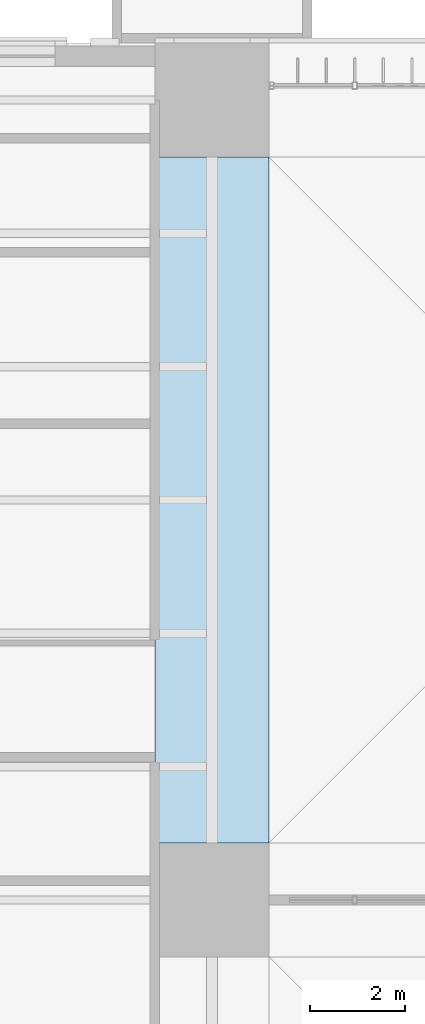
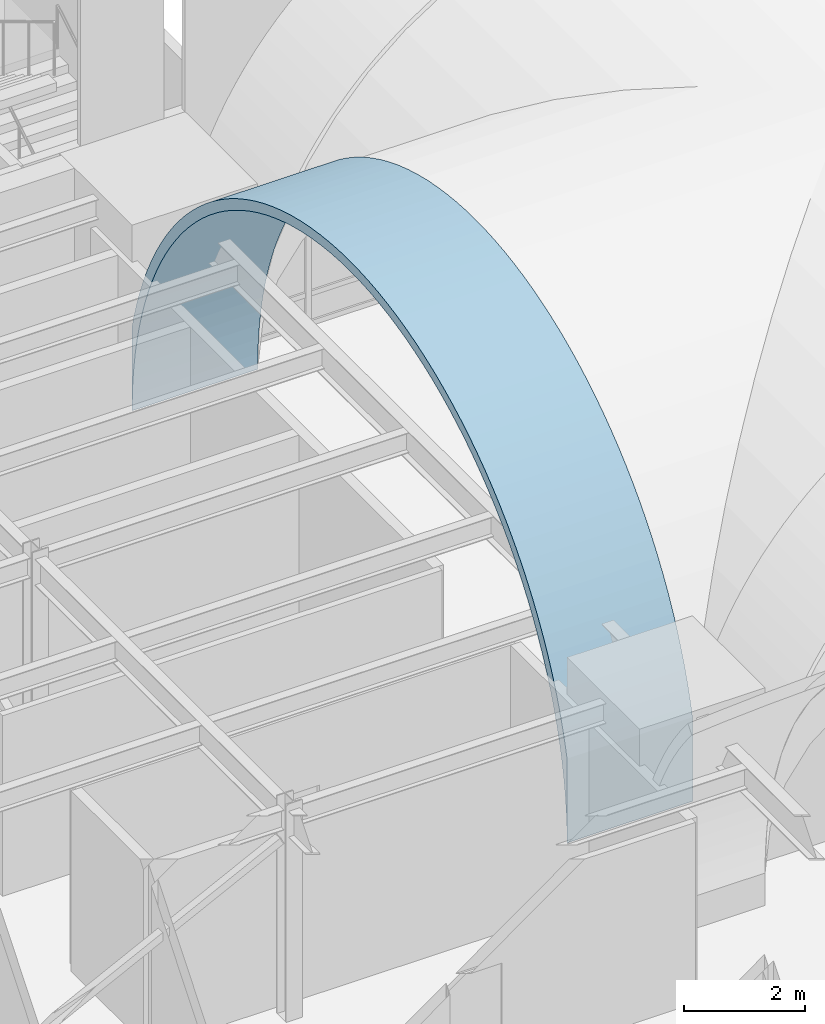
# One storey, part 117 of 169: 1 roof.
"""IFC4 building model written with IfcOpenShell, lengths in metres."""

from ifc_helpers import new_model, si_unit, direction, frame, origin, place, context, subcontext, project, spatial, polygons, material, layer, layer_set, type_object, element, save


model = new_model("IFC4")

# Units and contexts
model_context = context("Model", 3, precision=1e-05, world=origin(), true_north=direction((0.0, 1.0)))
body_context = subcontext(model_context, "Body", "Model", "MODEL_VIEW")
ifc_project = project(units=[si_unit("LENGTHUNIT", "METRE"), si_unit("AREAUNIT", "SQUARE_METRE"), si_unit("VOLUMEUNIT", "CUBIC_METRE"), si_unit("PLANEANGLEUNIT", "RADIAN"), si_unit("MASSUNIT", "GRAM", prefix="KILO")], contexts=[model_context])

# Site, building, storey
site_placement = place(None, origin())
site = spatial("IfcSite", under=ifc_project, at=site_placement, CompositionType="ELEMENT")
building_placement = place(site_placement, origin())
building = spatial("IfcBuilding", under=site, at=building_placement, Name="Verrick Yard Athletic Hall", CompositionType="ELEMENT")
storey_placement = place(building_placement, frame((0.0, 0.0, 4.39990234375)))
storey = spatial("IfcBuildingStorey", under=building, at=storey_placement, Name="L01", CompositionType="ELEMENT", Elevation=4.39990234375)

# Roof
ifc_material = material(Name="Concrete 35 MPa", Category="concrete")
ifc_layer = layer(ifc_material, 0.199951171875)
ifc_layer_set = layer_set([ifc_layer], Name="Arch rib 200")
roof_type = type_object("IfcRoofType", Name="Arch rib 200", PredefinedType="BARREL_ROOF", material=ifc_layer_set)
roof_placement = place(storey_placement, origin())
element("IfcRoof", 1, at=roof_placement, inside=storey, type_object=roof_type, Name="Vault rib X1-2", PredefinedType="BARREL_ROOF", context=body_context, shape_type="Tessellation", body=[
    polygons([(41.199951171875, 37.199951171875, 2.352294921875), (41.199951171875, 37.199951171875, 0.650146484375), (41.199951171875, 37.206787109375, 0.964111328125), (41.199951171875, 37.227294921875, 1.277587890625), (41.199951171875, 37.26171875, 1.58984375), (41.199951171875, 37.309326171875, 1.900390625), (41.199951171875, 37.37060546875, 2.20849609375), (41.199951171875, 37.4453125, 2.513671875), (41.199951171875, 37.533203125, 2.815185546875), (41.199951171875, 37.63427734375, 3.112548828125), (41.199951171875, 37.748046875, 3.405517578125), (41.199951171875, 37.87451171875, 3.693115234375), (41.199951171875, 38.013427734375, 3.974609375), (41.199951171875, 38.16455078125, 4.25), (41.199951171875, 38.32763671875, 4.518798828125), (41.199951171875, 38.502197265625, 4.77978515625), (41.199951171875, 38.68798828125, 5.033203125), (41.199951171875, 38.884521484375, 5.278076171875), (41.199951171875, 39.091552734375, 5.514404296875), (41.199951171875, 39.308837890625, 5.7412109375), (41.199951171875, 39.535888671875, 5.95849609375), (41.199951171875, 39.77197265625, 6.16552734375), (41.199951171875, 40.016845703125, 6.3623046875), (41.199951171875, 40.270263671875, 6.548095703125), (41.199951171875, 40.531494140625, 6.722412109375), (41.199951171875, 40.800048828125, 6.885498046875), (41.199951171875, 41.075439453125, 7.03662109375), (41.199951171875, 41.357177734375, 7.175537109375), (41.199951171875, 41.644775390625, 7.302001953125), (41.199951171875, 41.9375, 7.416015625), (41.199951171875, 42.23486328125, 7.516845703125), (41.199951171875, 42.53662109375, 7.604736328125), (41.199951171875, 42.841552734375, 7.679443359375), (41.199951171875, 43.149658203125, 7.74072265625), (41.199951171875, 43.460205078125, 7.78857421875), (41.199951171875, 43.7724609375, 7.82275390625), (41.199951171875, 44.0859375, 7.84326171875), (41.199951171875, 44.39990234375, 7.85009765625), (41.199951171875, 44.714111328125, 7.84326171875), (41.199951171875, 45.027587890625, 7.82275390625), (41.199951171875, 45.33984375, 7.78857421875), (41.199951171875, 45.650390625, 7.74072265625), (41.199951171875, 45.95849609375, 7.679443359375), (41.199951171875, 46.263427734375, 7.604736328125), (41.199951171875, 46.565185546875, 7.516845703125), (41.199951171875, 46.862548828125, 7.416015625), (41.199951171875, 47.1552734375, 7.302001953125), (41.199951171875, 47.44287109375, 7.175537109375), (41.199951171875, 47.724609375, 7.03662109375), (41.199951171875, 48.0, 6.885498046875), (41.199951171875, 48.2685546875, 6.722412109375), (41.199951171875, 48.52978515625, 6.548095703125), (41.199951171875, 48.783203125, 6.3623046875), (41.199951171875, 49.028076171875, 6.16552734375), (41.199951171875, 49.26416015625, 5.95849609375), (41.199951171875, 49.4912109375, 5.7412109375), (41.199951171875, 49.70849609375, 5.514404296875), (41.199951171875, 49.91552734375, 5.278076171875), (41.199951171875, 50.112060546875, 5.033203125), (41.199951171875, 50.2978515625, 4.77978515625), (41.199951171875, 50.472412109375, 4.518798828125), (41.199951171875, 50.635498046875, 4.25), (41.199951171875, 50.78662109375, 3.974609375), (41.199951171875, 50.92529296875, 3.693115234375), (41.199951171875, 51.052001953125, 3.405517578125), (41.199951171875, 51.165771484375, 3.112548828125), (41.199951171875, 51.266845703125, 2.815185546875), (41.199951171875, 51.354736328125, 2.513671875), (41.199951171875, 51.42919921875, 2.20849609375), (41.199951171875, 51.490478515625, 1.900390625), (41.199951171875, 51.538330078125, 1.58984375), (41.199951171875, 51.572509765625, 1.277587890625), (41.199951171875, 51.593017578125, 0.964111328125), (41.199951171875, 51.60009765625, 0.650146484375), (41.199951171875, 51.60009765625, 2.352294921875), (41.199951171875, 51.5478515625, 2.5654296875), (41.199951171875, 51.45751953125, 2.875244140625), (41.199951171875, 51.353759765625, 3.180908203125), (41.199951171875, 51.23681640625, 3.48193359375), (41.199951171875, 51.106689453125, 3.777587890625), (41.199951171875, 50.9638671875, 4.06689453125), (41.199951171875, 50.80859375, 4.35009765625), (41.199951171875, 50.64111328125, 4.6259765625), (41.199951171875, 50.461669921875, 4.89453125), (41.199951171875, 50.270751953125, 5.15478515625), (41.199951171875, 50.068603515625, 5.40673828125), (41.199951171875, 49.85595703125, 5.6494140625), (41.199951171875, 49.632568359375, 5.8828125), (41.199951171875, 49.3994140625, 6.10595703125), (41.199951171875, 49.156494140625, 6.31884765625), (41.199951171875, 48.90478515625, 6.52099609375), (41.199951171875, 48.64453125, 6.7119140625), (41.199951171875, 48.3759765625, 6.89111328125), (41.199951171875, 48.10009765625, 7.05859375), (41.199951171875, 47.81689453125, 7.214111328125), (41.199951171875, 47.52734375, 7.356689453125), (41.199951171875, 47.23193359375, 7.48681640625), (41.199951171875, 46.930908203125, 7.603759765625), (41.199951171875, 46.625244140625, 7.70751953125), (41.199951171875, 46.315185546875, 7.798095703125), (41.199951171875, 46.001708984375, 7.874755859375), (41.199951171875, 45.68505859375, 7.937744140625), (41.199951171875, 45.365966796875, 7.98681640625), (41.199951171875, 45.044921875, 8.02197265625), (41.199951171875, 44.722900390625, 8.043212890625), (41.199951171875, 44.39990234375, 8.050048828125), (41.199951171875, 44.0771484375, 8.043212890625), (41.199951171875, 43.7548828125, 8.02197265625), (41.199951171875, 43.43408203125, 7.98681640625), (41.199951171875, 43.114990234375, 7.937744140625), (41.199951171875, 42.79833984375, 7.874755859375), (41.199951171875, 42.484619140625, 7.798095703125), (41.199951171875, 42.1748046875, 7.70751953125), (41.199951171875, 41.869140625, 7.603759765625), (41.199951171875, 41.568115234375, 7.48681640625), (41.199951171875, 41.272705078125, 7.356689453125), (41.199951171875, 40.983154296875, 7.214111328125), (41.199951171875, 40.699951171875, 7.05859375), (41.199951171875, 40.424072265625, 6.89111328125), (41.199951171875, 40.155517578125, 6.7119140625), (41.199951171875, 39.895263671875, 6.52099609375), (41.199951171875, 39.643310546875, 6.31884765625), (41.199951171875, 39.400634765625, 6.10595703125), (41.199951171875, 39.16748046875, 5.8828125), (41.199951171875, 38.944091796875, 5.6494140625), (41.199951171875, 38.731201171875, 5.40673828125), (41.199951171875, 38.529296875, 5.15478515625), (41.199951171875, 38.33837890625, 4.89453125), (41.199951171875, 38.158935546875, 4.6259765625), (41.199951171875, 37.991455078125, 4.35009765625), (41.199951171875, 37.836181640625, 4.06689453125), (41.199951171875, 37.693359375, 3.777587890625), (41.199951171875, 37.563232421875, 3.48193359375), (41.199951171875, 37.4462890625, 3.180908203125), (41.199951171875, 37.342529296875, 2.875244140625), (41.199951171875, 37.252197265625, 2.5654296875), (38.800048828125, 37.199951171875, 2.352294921875), (38.800048828125, 37.199951171875, 0.650146484375), (38.800048828125, 37.206787109375, 0.964111328125), (38.800048828125, 37.227294921875, 1.277587890625), (38.800048828125, 37.26171875, 1.58984375), (38.800048828125, 37.309326171875, 1.900390625), (38.800048828125, 37.37060546875, 2.20849609375), (38.800048828125, 37.4453125, 2.513671875), (38.800048828125, 37.533203125, 2.815185546875), (38.800048828125, 37.63427734375, 3.112548828125), (38.800048828125, 37.748046875, 3.405517578125), (38.800048828125, 37.87451171875, 3.693115234375), (38.800048828125, 38.013427734375, 3.974609375), (38.800048828125, 38.16455078125, 4.25), (38.800048828125, 38.32763671875, 4.518798828125), (38.800048828125, 38.502197265625, 4.77978515625), (38.800048828125, 38.68798828125, 5.033203125), (38.800048828125, 38.884521484375, 5.278076171875), (38.800048828125, 39.091552734375, 5.514404296875), (38.800048828125, 39.308837890625, 5.7412109375), (38.800048828125, 39.535888671875, 5.95849609375), (38.800048828125, 39.77197265625, 6.16552734375), (38.800048828125, 40.016845703125, 6.3623046875), (38.800048828125, 40.270263671875, 6.548095703125), (38.800048828125, 40.531494140625, 6.722412109375), (38.800048828125, 40.800048828125, 6.885498046875), (38.800048828125, 41.075439453125, 7.03662109375), (38.800048828125, 41.357177734375, 7.175537109375), (38.800048828125, 41.644775390625, 7.302001953125), (38.800048828125, 41.9375, 7.416015625), (38.800048828125, 42.23486328125, 7.516845703125), (38.800048828125, 42.53662109375, 7.604736328125), (38.800048828125, 42.841552734375, 7.679443359375), (38.800048828125, 43.149658203125, 7.74072265625), (38.800048828125, 43.460205078125, 7.78857421875), (38.800048828125, 43.7724609375, 7.82275390625), (38.800048828125, 44.0859375, 7.84326171875), (38.800048828125, 44.39990234375, 7.85009765625), (38.800048828125, 44.714111328125, 7.84326171875), (38.800048828125, 45.027587890625, 7.82275390625), (38.800048828125, 45.33984375, 7.78857421875), (38.800048828125, 45.650390625, 7.74072265625), (38.800048828125, 45.95849609375, 7.679443359375), (38.800048828125, 46.263427734375, 7.604736328125), (38.800048828125, 46.565185546875, 7.516845703125), (38.800048828125, 46.862548828125, 7.416015625), (38.800048828125, 47.1552734375, 7.302001953125), (38.800048828125, 47.44287109375, 7.175537109375), (38.800048828125, 47.724609375, 7.03662109375), (38.800048828125, 48.0, 6.885498046875), (38.800048828125, 48.2685546875, 6.722412109375), (38.800048828125, 48.52978515625, 6.548095703125), (38.800048828125, 48.783203125, 6.3623046875), (38.800048828125, 49.028076171875, 6.16552734375), (38.800048828125, 49.26416015625, 5.95849609375), (38.800048828125, 49.4912109375, 5.7412109375), (38.800048828125, 49.70849609375, 5.514404296875), (38.800048828125, 49.91552734375, 5.278076171875), (38.800048828125, 50.112060546875, 5.033203125), (38.800048828125, 50.2978515625, 4.77978515625), (38.800048828125, 50.472412109375, 4.518798828125), (38.800048828125, 50.635498046875, 4.25), (38.800048828125, 50.78662109375, 3.974609375), (38.800048828125, 50.92529296875, 3.693115234375), (38.800048828125, 51.052001953125, 3.405517578125), (38.800048828125, 51.165771484375, 3.112548828125), (38.800048828125, 51.266845703125, 2.815185546875), (38.800048828125, 51.354736328125, 2.513671875), (38.800048828125, 51.42919921875, 2.20849609375), (38.800048828125, 51.490478515625, 1.900390625), (38.800048828125, 51.538330078125, 1.58984375), (38.800048828125, 51.572509765625, 1.277587890625), (38.800048828125, 51.593017578125, 0.964111328125), (38.800048828125, 51.60009765625, 0.650146484375), (38.800048828125, 51.60009765625, 2.352294921875), (38.800048828125, 51.5478515625, 2.5654296875), (38.800048828125, 51.45751953125, 2.875244140625), (38.800048828125, 51.353759765625, 3.180908203125), (38.800048828125, 51.23681640625, 3.48193359375), (38.800048828125, 51.106689453125, 3.777587890625), (38.800048828125, 50.9638671875, 4.06689453125), (38.800048828125, 50.80859375, 4.35009765625), (38.800048828125, 50.64111328125, 4.6259765625), (38.800048828125, 50.461669921875, 4.89453125), (38.800048828125, 50.270751953125, 5.15478515625), (38.800048828125, 50.068603515625, 5.40673828125), (38.800048828125, 49.85595703125, 5.6494140625), (38.800048828125, 49.632568359375, 5.8828125), (38.800048828125, 49.3994140625, 6.10595703125), (38.800048828125, 49.156494140625, 6.31884765625), (38.800048828125, 48.90478515625, 6.52099609375), (38.800048828125, 48.64453125, 6.7119140625), (38.800048828125, 48.3759765625, 6.89111328125), (38.800048828125, 48.10009765625, 7.05859375), (38.800048828125, 47.81689453125, 7.214111328125), (38.800048828125, 47.52734375, 7.356689453125), (38.800048828125, 47.23193359375, 7.48681640625), (38.800048828125, 46.930908203125, 7.603759765625), (38.800048828125, 46.625244140625, 7.70751953125), (38.800048828125, 46.315185546875, 7.798095703125), (38.800048828125, 46.001708984375, 7.874755859375), (38.800048828125, 45.68505859375, 7.937744140625), (38.800048828125, 45.365966796875, 7.98681640625), (38.800048828125, 45.044921875, 8.02197265625), (38.800048828125, 44.722900390625, 8.043212890625), (38.800048828125, 44.39990234375, 8.050048828125), (38.800048828125, 44.0771484375, 8.043212890625), (38.800048828125, 43.7548828125, 8.02197265625), (38.800048828125, 43.43408203125, 7.98681640625), (38.800048828125, 43.114990234375, 7.937744140625), (38.800048828125, 42.79833984375, 7.874755859375), (38.800048828125, 42.484619140625, 7.798095703125), (38.800048828125, 42.1748046875, 7.70751953125), (38.800048828125, 41.869140625, 7.603759765625), (38.800048828125, 41.568115234375, 7.48681640625), (38.800048828125, 41.272705078125, 7.356689453125), (38.800048828125, 40.983154296875, 7.214111328125), (38.800048828125, 40.699951171875, 7.05859375), (38.800048828125, 40.424072265625, 6.89111328125), (38.800048828125, 40.155517578125, 6.7119140625), (38.800048828125, 39.895263671875, 6.52099609375), (38.800048828125, 39.643310546875, 6.31884765625), (38.800048828125, 39.400634765625, 6.10595703125), (38.800048828125, 39.16748046875, 5.8828125), (38.800048828125, 38.944091796875, 5.6494140625), (38.800048828125, 38.731201171875, 5.40673828125), (38.800048828125, 38.529296875, 5.15478515625), (38.800048828125, 38.33837890625, 4.89453125), (38.800048828125, 38.158935546875, 4.6259765625), (38.800048828125, 37.991455078125, 4.35009765625), (38.800048828125, 37.836181640625, 4.06689453125), (38.800048828125, 37.693359375, 3.777587890625), (38.800048828125, 37.563232421875, 3.48193359375), (38.800048828125, 37.4462890625, 3.180908203125), (38.800048828125, 37.342529296875, 2.875244140625), (38.800048828125, 37.252197265625, 2.5654296875)], [[[1, 2, 3]], [[137, 139, 138]], [[136, 1, 3]], [[272, 139, 137]], [[136, 3, 4]], [[272, 140, 139]], [[136, 4, 5]], [[272, 141, 140]], [[136, 5, 6]], [[272, 142, 141]], [[136, 6, 7]], [[272, 143, 142]], [[136, 7, 8]], [[272, 144, 143]], [[136, 8, 9]], [[272, 145, 144]], [[136, 9, 10]], [[272, 146, 145]], [[136, 10, 11]], [[272, 147, 146]], [[136, 11, 12]], [[272, 148, 147]], [[136, 12, 13]], [[272, 149, 148]], [[73, 74, 75]], [[209, 211, 210]], [[72, 73, 75]], [[208, 211, 209]], [[71, 72, 75]], [[207, 211, 208]], [[70, 71, 75]], [[206, 211, 207]], [[69, 70, 75]], [[205, 211, 206]], [[68, 69, 75]], [[204, 211, 205]], [[67, 68, 75]], [[203, 211, 204]], [[66, 67, 75]], [[202, 211, 203]], [[65, 66, 75]], [[201, 211, 202]], [[64, 65, 75]], [[200, 211, 201]], [[63, 64, 75]], [[199, 211, 200]], [[63, 75, 76]], [[199, 212, 211]], [[63, 76, 77]], [[199, 213, 212]], [[62, 63, 77]], [[198, 213, 199]], [[62, 77, 78]], [[198, 214, 213]], [[61, 62, 78]], [[197, 214, 198]], [[61, 78, 79]], [[197, 215, 214]], [[60, 61, 79]], [[196, 215, 197]], [[60, 79, 80]], [[196, 216, 215]], [[59, 60, 80]], [[195, 216, 196]], [[59, 80, 81]], [[195, 217, 216]], [[58, 59, 81]], [[194, 217, 195]], [[58, 81, 82]], [[194, 218, 217]], [[57, 58, 82]], [[193, 218, 194]], [[57, 82, 83]], [[193, 219, 218]], [[56, 57, 83]], [[192, 219, 193]], [[56, 83, 84]], [[192, 220, 219]], [[55, 56, 84]], [[191, 220, 192]], [[55, 84, 85]], [[191, 221, 220]], [[54, 55, 85]], [[190, 221, 191]], [[54, 85, 86]], [[190, 222, 221]], [[53, 54, 86]], [[189, 222, 190]], [[53, 86, 87]], [[189, 223, 222]], [[52, 53, 87]], [[188, 223, 189]], [[52, 87, 88]], [[188, 224, 223]], [[51, 52, 88]], [[187, 224, 188]], [[51, 88, 89]], [[187, 225, 224]], [[50, 51, 89]], [[186, 225, 187]], [[50, 89, 90]], [[186, 226, 225]], [[49, 50, 90]], [[185, 226, 186]], [[49, 90, 91]], [[185, 227, 226]], [[48, 49, 91]], [[184, 227, 185]], [[48, 91, 92]], [[184, 228, 227]], [[47, 48, 92]], [[183, 228, 184]], [[47, 92, 93]], [[183, 229, 228]], [[46, 47, 93]], [[182, 229, 183]], [[46, 93, 94]], [[182, 230, 229]], [[45, 46, 94]], [[181, 230, 182]], [[45, 94, 95]], [[181, 231, 230]], [[44, 45, 95]], [[180, 231, 181]], [[44, 95, 96]], [[180, 232, 231]], [[43, 44, 96]], [[179, 232, 180]], [[43, 96, 97]], [[179, 233, 232]], [[42, 43, 97]], [[178, 233, 179]], [[42, 97, 98]], [[178, 234, 233]], [[41, 42, 98]], [[177, 234, 178]], [[41, 98, 99]], [[177, 235, 234]], [[40, 41, 99]], [[176, 235, 177]], [[40, 99, 100]], [[176, 236, 235]], [[39, 40, 100]], [[175, 236, 176]], [[39, 100, 101]], [[175, 237, 236]], [[38, 39, 101]], [[174, 237, 175]], [[38, 101, 102]], [[174, 238, 237]], [[37, 38, 102]], [[173, 238, 174]], [[37, 102, 103]], [[173, 239, 238]], [[36, 37, 103]], [[172, 239, 173]], [[36, 103, 104]], [[172, 240, 239]], [[35, 36, 104]], [[171, 240, 172]], [[35, 104, 105]], [[171, 241, 240]], [[34, 35, 105]], [[170, 241, 171]], [[34, 105, 106]], [[170, 242, 241]], [[33, 34, 106]], [[169, 242, 170]], [[33, 106, 107]], [[169, 243, 242]], [[32, 33, 107]], [[168, 243, 169]], [[32, 107, 108]], [[168, 244, 243]], [[31, 32, 108]], [[167, 244, 168]], [[31, 108, 109]], [[167, 245, 244]], [[30, 31, 109]], [[166, 245, 167]], [[30, 109, 110]], [[166, 246, 245]], [[29, 30, 110]], [[165, 246, 166]], [[29, 110, 111]], [[165, 247, 246]], [[28, 29, 111]], [[164, 247, 165]], [[28, 111, 112]], [[164, 248, 247]], [[27, 28, 112]], [[163, 248, 164]], [[27, 112, 113]], [[163, 249, 248]], [[26, 27, 113]], [[162, 249, 163]], [[26, 113, 114]], [[162, 250, 249]], [[25, 26, 114]], [[161, 250, 162]], [[25, 114, 115]], [[161, 251, 250]], [[24, 25, 115]], [[160, 251, 161]], [[24, 115, 116]], [[160, 252, 251]], [[23, 24, 116]], [[159, 252, 160]], [[23, 116, 117]], [[159, 253, 252]], [[22, 23, 117]], [[158, 253, 159]], [[22, 117, 118]], [[158, 254, 253]], [[21, 22, 118]], [[157, 254, 158]], [[21, 118, 119]], [[157, 255, 254]], [[20, 21, 119]], [[156, 255, 157]], [[20, 119, 120]], [[156, 256, 255]], [[19, 20, 120]], [[155, 256, 156]], [[19, 120, 121]], [[155, 257, 256]], [[18, 19, 121]], [[154, 257, 155]], [[18, 121, 122]], [[154, 258, 257]], [[17, 18, 122]], [[153, 258, 154]], [[17, 122, 123]], [[153, 259, 258]], [[16, 17, 123]], [[152, 259, 153]], [[16, 123, 124]], [[152, 260, 259]], [[15, 16, 124]], [[151, 260, 152]], [[15, 124, 125]], [[151, 261, 260]], [[14, 15, 125]], [[150, 261, 151]], [[14, 125, 126]], [[150, 262, 261]], [[13, 14, 126]], [[149, 262, 150]], [[136, 13, 126]], [[272, 262, 149]], [[136, 126, 127]], [[272, 263, 262]], [[136, 127, 128]], [[272, 264, 263]], [[136, 128, 129]], [[272, 265, 264]], [[136, 129, 130]], [[272, 266, 265]], [[136, 130, 131]], [[272, 267, 266]], [[136, 131, 132]], [[272, 268, 267]], [[136, 132, 133]], [[272, 269, 268]], [[136, 133, 134]], [[272, 270, 269]], [[134, 135, 136]], [[270, 272, 271]], [[1, 138, 2]], [[1, 137, 138]], [[2, 139, 3]], [[2, 138, 139]], [[3, 140, 4]], [[3, 139, 140]], [[4, 141, 5]], [[4, 140, 141]], [[5, 142, 6]], [[5, 141, 142]], [[6, 143, 7]], [[6, 142, 143]], [[7, 144, 8]], [[7, 143, 144]], [[8, 145, 9]], [[8, 144, 145]], [[9, 146, 10]], [[9, 145, 146]], [[10, 147, 11]], [[10, 146, 147]], [[11, 148, 12]], [[11, 147, 148]], [[12, 149, 13]], [[12, 148, 149]], [[13, 150, 14]], [[13, 149, 150]], [[14, 151, 15]], [[14, 150, 151]], [[15, 152, 16]], [[15, 151, 152]], [[16, 153, 17]], [[16, 152, 153]], [[17, 154, 18]], [[17, 153, 154]], [[18, 155, 19]], [[18, 154, 155]], [[19, 156, 20]], [[19, 155, 156]], [[20, 157, 21]], [[20, 156, 157]], [[21, 158, 22]], [[21, 157, 158]], [[22, 159, 23]], [[22, 158, 159]], [[23, 160, 24]], [[23, 159, 160]], [[24, 161, 25]], [[24, 160, 161]], [[25, 162, 26]], [[25, 161, 162]], [[26, 163, 27]], [[26, 162, 163]], [[27, 164, 28]], [[27, 163, 164]], [[28, 165, 29]], [[28, 164, 165]], [[29, 166, 30]], [[29, 165, 166]], [[30, 167, 31]], [[30, 166, 167]], [[31, 168, 32]], [[31, 167, 168]], [[32, 169, 33]], [[32, 168, 169]], [[33, 170, 34]], [[33, 169, 170]], [[34, 171, 35]], [[34, 170, 171]], [[35, 172, 36]], [[35, 171, 172]], [[36, 173, 37]], [[36, 172, 173]], [[37, 174, 38]], [[37, 173, 174]], [[38, 175, 39]], [[38, 174, 175]], [[39, 176, 40]], [[39, 175, 176]], [[40, 177, 41]], [[40, 176, 177]], [[41, 178, 42]], [[41, 177, 178]], [[42, 179, 43]], [[42, 178, 179]], [[43, 180, 44]], [[43, 179, 180]], [[44, 181, 45]], [[44, 180, 181]], [[45, 182, 46]], [[45, 181, 182]], [[46, 183, 47]], [[46, 182, 183]], [[47, 184, 48]], [[47, 183, 184]], [[48, 185, 49]], [[48, 184, 185]], [[49, 186, 50]], [[49, 185, 186]], [[50, 187, 51]], [[50, 186, 187]], [[51, 188, 52]], [[51, 187, 188]], [[52, 189, 53]], [[52, 188, 189]], [[53, 190, 54]], [[53, 189, 190]], [[54, 191, 55]], [[54, 190, 191]], [[55, 192, 56]], [[55, 191, 192]], [[56, 193, 57]], [[56, 192, 193]], [[57, 194, 58]], [[57, 193, 194]], [[58, 195, 59]], [[58, 194, 195]], [[59, 196, 60]], [[59, 195, 196]], [[60, 197, 61]], [[60, 196, 197]], [[61, 198, 62]], [[61, 197, 198]], [[62, 199, 63]], [[62, 198, 199]], [[63, 200, 64]], [[63, 199, 200]], [[64, 201, 65]], [[64, 200, 201]], [[65, 202, 66]], [[65, 201, 202]], [[66, 203, 67]], [[66, 202, 203]], [[67, 204, 68]], [[67, 203, 204]], [[68, 205, 69]], [[68, 204, 205]], [[69, 206, 70]], [[69, 205, 206]], [[70, 207, 71]], [[70, 206, 207]], [[71, 208, 72]], [[71, 207, 208]], [[72, 209, 73]], [[72, 208, 209]], [[73, 210, 74]], [[73, 209, 210]], [[74, 211, 75]], [[74, 210, 211]], [[75, 212, 76]], [[75, 211, 212]], [[76, 213, 77]], [[76, 212, 213]], [[77, 214, 78]], [[77, 213, 214]], [[78, 215, 79]], [[78, 214, 215]], [[79, 216, 80]], [[79, 215, 216]], [[80, 217, 81]], [[80, 216, 217]], [[81, 218, 82]], [[81, 217, 218]], [[82, 219, 83]], [[82, 218, 219]], [[83, 220, 84]], [[83, 219, 220]], [[84, 221, 85]], [[84, 220, 221]], [[85, 222, 86]], [[85, 221, 222]], [[86, 223, 87]], [[86, 222, 223]], [[87, 224, 88]], [[87, 223, 224]], [[88, 225, 89]], [[88, 224, 225]], [[89, 226, 90]], [[89, 225, 226]], [[90, 227, 91]], [[90, 226, 227]], [[91, 228, 92]], [[91, 227, 228]], [[92, 229, 93]], [[92, 228, 229]], [[93, 230, 94]], [[93, 229, 230]], [[94, 231, 95]], [[94, 230, 231]], [[95, 232, 96]], [[95, 231, 232]], [[96, 233, 97]], [[96, 232, 233]], [[97, 234, 98]], [[97, 233, 234]], [[98, 235, 99]], [[98, 234, 235]], [[99, 236, 100]], [[99, 235, 236]], [[100, 237, 101]], [[100, 236, 237]], [[101, 238, 102]], [[101, 237, 238]], [[102, 239, 103]], [[102, 238, 239]], [[103, 240, 104]], [[103, 239, 240]], [[104, 241, 105]], [[104, 240, 241]], [[105, 242, 106]], [[105, 241, 242]], [[106, 243, 107]], [[106, 242, 243]], [[107, 244, 108]], [[107, 243, 244]], [[108, 245, 109]], [[108, 244, 245]], [[109, 246, 110]], [[109, 245, 246]], [[110, 247, 111]], [[110, 246, 247]], [[111, 248, 112]], [[111, 247, 248]], [[112, 249, 113]], [[112, 248, 249]], [[113, 250, 114]], [[113, 249, 250]], [[114, 251, 115]], [[114, 250, 251]], [[115, 252, 116]], [[115, 251, 252]], [[116, 253, 117]], [[116, 252, 253]], [[117, 254, 118]], [[117, 253, 254]], [[118, 255, 119]], [[118, 254, 255]], [[119, 256, 120]], [[119, 255, 256]], [[120, 257, 121]], [[120, 256, 257]], [[121, 258, 122]], [[121, 257, 258]], [[122, 259, 123]], [[122, 258, 259]], [[123, 260, 124]], [[123, 259, 260]], [[124, 261, 125]], [[124, 260, 261]], [[125, 262, 126]], [[125, 261, 262]], [[126, 263, 127]], [[126, 262, 263]], [[127, 264, 128]], [[127, 263, 264]], [[128, 265, 129]], [[128, 264, 265]], [[129, 266, 130]], [[129, 265, 266]], [[130, 267, 131]], [[130, 266, 267]], [[131, 268, 132]], [[131, 267, 268]], [[132, 269, 133]], [[132, 268, 269]], [[133, 270, 134]], [[133, 269, 270]], [[134, 271, 135]], [[134, 270, 271]], [[135, 272, 136]], [[135, 271, 272]], [[136, 137, 1]], [[136, 272, 137]]], closed=True),
])

save(model, "model.ifc")
